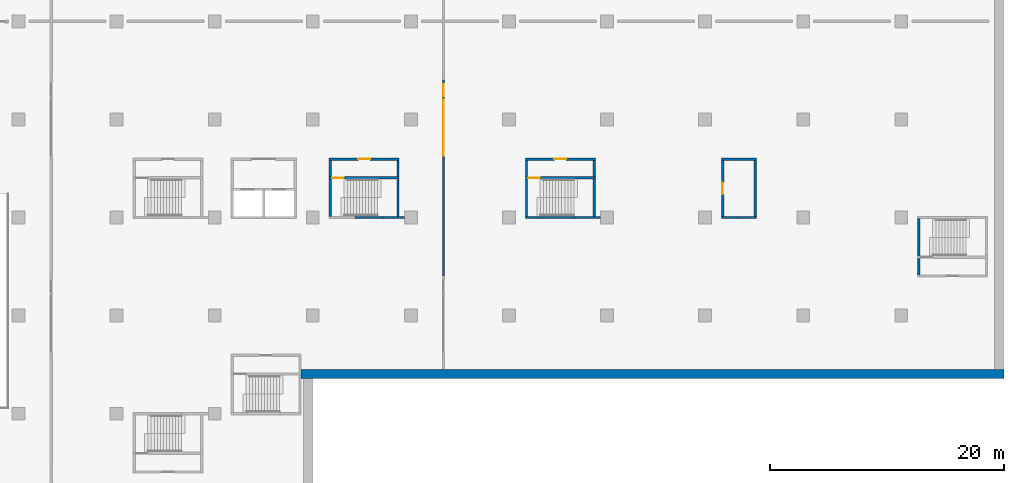
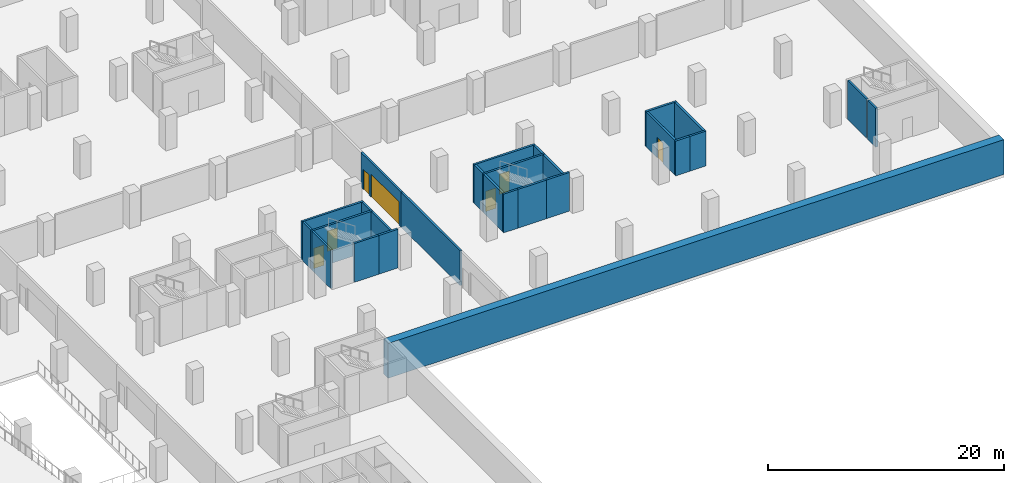
# One storey, part 8 of 18: 27 walls, 7 doors, 7 openings.
"""IFC4 building model written with IfcOpenShell, lengths in metres."""

from ifc_helpers import new_model, si_unit, direction, frame, frame_2d, origin, place, context, subcontext, project, spatial, rectangle, extrude, material, layer, layer_set, type_object, element, fill, save


model = new_model("IFC4")

# Units and contexts
model_context = context("Model", 3, precision=1e-05, world=origin(), true_north=direction((0.0, 1.0)))
body_context = subcontext(model_context, "Body", "Model", "MODEL_VIEW")
ifc_project = project(units=[si_unit("LENGTHUNIT", "METRE"), si_unit("AREAUNIT", "SQUARE_METRE"), si_unit("VOLUMEUNIT", "CUBIC_METRE"), si_unit("PLANEANGLEUNIT", "RADIAN"), si_unit("MASSUNIT", "GRAM", prefix="KILO")], contexts=[model_context])

# Site, building, storey
site_placement = place(None, origin())
site = spatial("IfcSite", under=ifc_project, at=site_placement, CompositionType="ELEMENT")
building_placement = place(site_placement, origin())
building = spatial("IfcBuilding", under=site, at=building_placement, Name="Vermilion Gate Residences", CompositionType="ELEMENT")
storey_placement = place(building_placement, frame((0.0, 0.0, -4.0)))
storey = spatial("IfcBuildingStorey", under=building, at=storey_placement, Name="B1", CompositionType="ELEMENT", Elevation=-4.0)

# Wall, opening, door
ifc_material_1 = material(Name="Concrete blockwork", Category="masonry")
ifc_layer_1 = layer(ifc_material_1, 0.199951171875)
ifc_layer_set_1 = layer_set([ifc_layer_1], Name="FIRE WALL 200 EI 120 (AMENITY)")
wall_type_1 = type_object("IfcWallType", Name="FIRE WALL 200 EI 120 (AMENITY)", PredefinedType="PARTITIONING", material=ifc_layer_set_1)
wall_1_placement = place(storey_placement, frame((102.300048828125, 50.5, 0.0), z_axis=(0.0, 0.0, 1.0), x_axis=(0.0, 1.0, 0.0)))
wall_1 = element("IfcWall", 1, at=wall_1_placement, inside=storey, type_object=wall_type_1, Name="Fire-resisting wall 169", PredefinedType="PARTITIONING", context=body_context, shape_type="SweptSolid", body=[
    extrude(rectangle(XDim=4.800048828125, YDim=0.199951171875, at=frame_2d((2.39990234375, 0.0))), origin(), (0.0, 0.0, 1.0), 3.60009765625),
])
opening_1_placement = place(wall_1_placement, frame((1.89990234375, 0.0, 0.0)))
opening_1 = element("IfcOpeningElement", 2, at=opening_1_placement, cuts=wall_1, Name="Opening DMB1044", PredefinedType="OPENING", context=body_context, shape_type="SweptSolid", body=[
    extrude(rectangle(XDim=1.0, YDim=2.10009765625, at=frame_2d((0.5, 1.050048828125))), frame((0.0, 0.10986328125, 0.0), z_axis=(0.0, -1.0, 0.0), x_axis=(1.0, 0.0, 0.0)), (0.0, 0.0, 1.0), 0.219970703125),
])
ifc_material_2 = material(Name="Steel", Category="steel")
door_type_1 = type_object("IfcDoorType", Name="DOOR 1000 X 2100 FD60 (AMENITY)", OperationType="SINGLE_SWING_LEFT", PredefinedType="DOOR", material=ifc_material_2)
door_1_placement = place(opening_1_placement, origin())
door_1 = element("IfcDoor", 3, at=door_1_placement, inside=storey, type_object=door_type_1, Name="Door B1 44", OperationType="SINGLE_SWING_LEFT", OverallHeight=2.10009765625, OverallWidth=1.0, PredefinedType="DOOR", context=body_context, shape_type="SweptSolid", body=[
    extrude(rectangle(XDim=1.0, YDim=2.10009765625, at=frame_2d((0.5, 1.050048828125))), frame((0.0, 0.02490234375, 0.0), z_axis=(0.0, -1.0, 0.0), x_axis=(1.0, 0.0, 0.0)), (0.0, 0.0, 1.0), 0.050048828125),
])
fill(opening_1, door_1)

# Walls
wall_2_placement = place(storey_placement, frame((102.199951171875, 50.39990234375, 0.0), z_axis=(0.0, 0.0, 1.0), x_axis=(1.0, 0.0, 0.0)))
element("IfcWall", 4, at=wall_2_placement, inside=storey, type_object=wall_type_1, Name="Fire-resisting wall 170", PredefinedType="PARTITIONING", context=body_context, shape_type="SweptSolid", body=[
    extrude(rectangle(XDim=1.400146484375, YDim=0.199951171875, at=frame_2d((0.7001953125, 0.0))), origin(), (0.0, 0.0, 1.0), 3.60009765625),
])
wall_3_placement = place(storey_placement, frame((102.199951171875, 55.39990234375, 0.0), z_axis=(0.0, 0.0, 1.0), x_axis=(1.0, 0.0, 0.0)))
element("IfcWall", 5, at=wall_3_placement, inside=storey, type_object=wall_type_1, Name="Fire-resisting wall 171", PredefinedType="PARTITIONING", context=body_context, shape_type="SweptSolid", body=[
    extrude(rectangle(XDim=3.0, YDim=0.199951171875, at=frame_2d((1.5, 0.0))), origin(), (0.0, 0.0, 1.0), 3.60009765625),
])
wall_4_placement = place(storey_placement, frame((103.60009765625, 50.39990234375, 0.0), z_axis=(0.0, 0.0, 1.0), x_axis=(1.0, 0.0, 0.0)))
element("IfcWall", 6, at=wall_4_placement, inside=storey, type_object=wall_type_1, Name="Fire-resisting wall 175", PredefinedType="PARTITIONING", context=body_context, shape_type="SweptSolid", body=[
    extrude(rectangle(XDim=1.599853515625, YDim=0.199951171875, at=frame_2d((0.7998046875, 0.0))), origin(), (0.0, 0.0, 1.0), 3.60009765625),
])
wall_5_placement = place(storey_placement, frame((105.10009765625, 50.5, 0.0), z_axis=(0.0, 0.0, 1.0), x_axis=(0.0, 1.0, 0.0)))
element("IfcWall", 7, at=wall_5_placement, inside=storey, type_object=wall_type_1, Name="Fire-resisting wall 177", PredefinedType="PARTITIONING", context=body_context, shape_type="SweptSolid", body=[
    extrude(rectangle(XDim=4.800048828125, YDim=0.199951171875, at=frame_2d((2.39990234375, 0.0))), origin(), (0.0, 0.0, 1.0), 3.60009765625),
])
ifc_material_3 = material(Name="Concrete blockwork", Category="masonry")
ifc_layer_2 = layer(ifc_material_3, 0.199951171875)
ifc_layer_set_2 = layer_set([ifc_layer_2], Name="GARAGE FIRE WALL 200 EI 120 (AMENITY)")
wall_type_2 = type_object("IfcWallType", Name="GARAGE FIRE WALL 200 EI 120 (AMENITY)", PredefinedType="PARTITIONING", material=ifc_layer_set_2)
wall_6_placement = place(storey_placement, frame((78.39990234375, 45.39990234375, 0.0), z_axis=(0.0, 0.0, 1.0), x_axis=(0.0, 1.0, 0.0)))
element("IfcWall", 8, at=wall_6_placement, inside=storey, type_object=wall_type_2, Name="Fire compartment wall", PredefinedType="PARTITIONING", context=body_context, shape_type="SweptSolid", body=[
    extrude(rectangle(XDim=10.0, YDim=0.199951171875, at=frame_2d((5.0, 0.0))), origin(), (0.0, 0.0, 1.0), 3.60009765625),
])

# Wall, openings, doors
wall_7_placement = place(storey_placement, frame((78.39990234375, 55.39990234375, 0.0), z_axis=(0.0, 0.0, 1.0), x_axis=(0.0, 1.0, 0.0)))
wall_7 = element("IfcWall", 9, at=wall_7_placement, inside=storey, type_object=wall_type_2, Name="Fire compartment wall", PredefinedType="PARTITIONING", context=body_context, shape_type="SweptSolid", body=[
    extrude(rectangle(XDim=6.800048828125, YDim=0.199951171875, at=frame_2d((3.39990234375, 0.0))), origin(), (0.0, 0.0, 1.0), 3.60009765625),
])
opening_2_placement = place(wall_7_placement, frame((0.300048828125, 0.0, 0.0)))
opening_2 = element("IfcOpeningElement", 10, at=opening_2_placement, cuts=wall_7, Name="Opening DGB1019", PredefinedType="OPENING", context=body_context, shape_type="SweptSolid", body=[
    extrude(rectangle(XDim=4.800048828125, YDim=2.39990234375, at=frame_2d((2.39990234375, 1.199951171875))), frame((0.0, 0.10986328125, 0.0), z_axis=(0.0, -1.0, 0.0), x_axis=(1.0, 0.0, 0.0)), (0.0, 0.0, 1.0), 0.219970703125),
])
opening_3_placement = place(wall_7_placement, frame((5.39990234375, 0.0, 0.0)))
opening_3 = element("IfcOpeningElement", 11, at=opening_3_placement, cuts=wall_7, Name="Opening DGB1020", PredefinedType="OPENING", context=body_context, shape_type="SweptSolid", body=[
    extrude(rectangle(XDim=1.0, YDim=2.10009765625, at=frame_2d((0.5, 1.050048828125))), frame((0.0, 0.10986328125, 0.0), z_axis=(0.0, -1.0, 0.0), x_axis=(1.0, 0.0, 0.0)), (0.0, 0.0, 1.0), 0.219970703125),
])
ifc_material_4 = material(Name="Steel", Category="steel")
door_type_2 = type_object("IfcDoorType", Name="DOOR 1000 X 2100 FD120 (AMENITY)", OperationType="SINGLE_SWING_LEFT", PredefinedType="DOOR", material=ifc_material_4)
door_2_placement = place(opening_3_placement, origin())
door_2 = element("IfcDoor", 12, at=door_2_placement, inside=storey, type_object=door_type_2, Name="Fire door", OperationType="SINGLE_SWING_LEFT", OverallHeight=2.10009765625, OverallWidth=1.0, PredefinedType="DOOR", context=body_context, shape_type="SweptSolid", body=[
    extrude(rectangle(XDim=1.0, YDim=2.10009765625, at=frame_2d((0.5, 1.050048828125))), frame((0.0, 0.02490234375, 0.0), z_axis=(0.0, -1.0, 0.0), x_axis=(1.0, 0.0, 0.0)), (0.0, 0.0, 1.0), 0.050048828125),
])
fill(opening_3, door_2)
ifc_material_5 = material(Name="Steel", Category="steel")
door_type_3 = type_object("IfcDoorType", Name="FIRE SHUTTER 4800 X 2400 (AMENITY)", OperationType="ROLLINGUP", PredefinedType="GATE", material=ifc_material_5)
door_3_placement = place(opening_2_placement, origin())
door_3 = element("IfcDoor", 13, at=door_3_placement, inside=storey, type_object=door_type_3, Name="Fire shutter", OperationType="ROLLINGUP", OverallHeight=2.39990234375, OverallWidth=4.800048828125, PredefinedType="GATE", context=body_context, shape_type="SweptSolid", body=[
    extrude(rectangle(XDim=4.800048828125, YDim=2.39990234375, at=frame_2d((2.39990234375, 1.199951171875))), frame((0.0, 0.02490234375, 0.0), z_axis=(0.0, -1.0, 0.0), x_axis=(1.0, 0.0, 0.0)), (0.0, 0.0, 1.0), 0.050048828125),
])
fill(opening_2, door_3)

# Walls
ifc_material_6 = material(Name="Concrete C40", Category="concrete")
ifc_layer_3 = layer(ifc_material_6, 0.800048828125)
ifc_layer_set_3 = layer_set([ifc_layer_3], Name="RC DIAPHRAGM WALL 800 C40")
wall_type_3 = type_object("IfcWallType", Name="RC DIAPHRAGM WALL 800 C40", PredefinedType="SOLIDWALL", material=ifc_layer_set_3)
wall_8_placement = place(storey_placement, frame((66.199951171875, 37.0, 0.0), z_axis=(0.0, 0.0, 1.0), x_axis=(1.0, 0.0, 0.0)))
element("IfcWall", 14, at=wall_8_placement, inside=storey, type_object=wall_type_3, Name="Diaphragm wall B1 2", PredefinedType="SOLIDWALL", context=body_context, shape_type="SweptSolid", body=[
    extrude(rectangle(XDim=60.199951171875, YDim=0.800048828125, at=frame_2d((30.10009765625, 0.0))), origin(), (0.0, 0.0, 1.0), 3.60009765625),
])
ifc_material_7 = material(Name="Concrete C40", Category="concrete")
ifc_layer_4 = layer(ifc_material_7, 0.199951171875)
ifc_layer_set_4 = layer_set([ifc_layer_4], Name="RC STAIR AND SHAFT WALL 200 EI 180 C40 (AMENITY)")
wall_type_4 = type_object("IfcWallType", Name="RC STAIR AND SHAFT WALL 200 EI 180 C40 (AMENITY)", PredefinedType="SOLIDWALL", material=ifc_layer_set_4)
wall_9_placement = place(storey_placement, frame((68.699951171875, 50.5, 0.0), z_axis=(0.0, 0.0, 1.0), x_axis=(0.0, 1.0, 0.0)))
element("IfcWall", 15, at=wall_9_placement, inside=storey, type_object=wall_type_4, Name="Stair and shaft wall 121", PredefinedType="SOLIDWALL", context=body_context, shape_type="SweptSolid", body=[
    extrude(rectangle(XDim=3.199951171875, YDim=0.199951171875, at=frame_2d((1.60009765625, 0.0))), origin(), (0.0, 0.0, 1.0), 4.0),
])
wall_10_placement = place(storey_placement, frame((68.699951171875, 53.89990234375, 0.0), z_axis=(0.0, 0.0, 1.0), x_axis=(0.0, 1.0, 0.0)))
element("IfcWall", 16, at=wall_10_placement, inside=storey, type_object=wall_type_4, Name="Stair and shaft wall 123", PredefinedType="SOLIDWALL", context=body_context, shape_type="SweptSolid", body=[
    extrude(rectangle(XDim=1.400146484375, YDim=0.199951171875, at=frame_2d((0.7001953125, 0.0))), origin(), (0.0, 0.0, 1.0), 4.0),
])

# Wall, opening, door
wall_11_placement = place(storey_placement, frame((68.60009765625, 53.800048828125, 0.0), z_axis=(0.0, 0.0, 1.0), x_axis=(1.0, 0.0, 0.0)))
wall_11 = element("IfcWall", 17, at=wall_11_placement, inside=storey, type_object=wall_type_4, Name="Stair and shaft wall 124", PredefinedType="SOLIDWALL", context=body_context, shape_type="SweptSolid", body=[
    extrude(rectangle(XDim=6.0, YDim=0.199951171875, at=frame_2d((3.0, 0.0))), origin(), (0.0, 0.0, 1.0), 4.0),
])
opening_4_placement = place(wall_11_placement, frame((0.25, 0.0, 0.0)))
opening_4 = element("IfcOpeningElement", 18, at=opening_4_placement, cuts=wall_11, Name="Opening DMB1010", PredefinedType="OPENING", context=body_context, shape_type="SweptSolid", body=[
    extrude(rectangle(XDim=1.0, YDim=2.10009765625, at=frame_2d((0.5, 1.050048828125))), frame((0.0, 0.10986328125, 0.0), z_axis=(0.0, -1.0, 0.0), x_axis=(1.0, 0.0, 0.0)), (0.0, 0.0, 1.0), 0.219970703125),
])
door_4_placement = place(opening_4_placement, frame((1.0, 0.0, 0.0), z_axis=(0.0, 0.0, 1.0), x_axis=(-1.0, 0.0, 0.0)))
door_4 = element("IfcDoor", 19, at=door_4_placement, inside=storey, type_object=door_type_1, Name="Door B1 10", OperationType="SINGLE_SWING_RIGHT", OverallHeight=2.10009765625, OverallWidth=1.0, PredefinedType="DOOR", context=body_context, shape_type="SweptSolid", body=[
    extrude(rectangle(XDim=1.0, YDim=2.10009765625, at=frame_2d((0.5, 1.050048828125))), frame((0.0, 0.02490234375, 0.0), z_axis=(0.0, -1.0, 0.0), x_axis=(1.0, 0.0, 0.0)), (0.0, 0.0, 1.0), 0.050048828125),
])
fill(opening_4, door_4)

wall_12_placement = place(storey_placement, frame((68.60009765625, 55.39990234375, 0.0), z_axis=(0.0, 0.0, 1.0), x_axis=(1.0, 0.0, 0.0)))
wall_12 = element("IfcWall", 20, at=wall_12_placement, inside=storey, type_object=wall_type_4, Name="Stair and shaft wall 125", PredefinedType="SOLIDWALL", context=body_context, shape_type="SweptSolid", body=[
    extrude(rectangle(XDim=6.0, YDim=0.199951171875, at=frame_2d((3.0, 0.0))), origin(), (0.0, 0.0, 1.0), 4.0),
])
opening_5_placement = place(wall_12_placement, frame((2.5, 0.0, 0.0)))
opening_5 = element("IfcOpeningElement", 21, at=opening_5_placement, cuts=wall_12, Name="Opening DMB1009", PredefinedType="OPENING", context=body_context, shape_type="SweptSolid", body=[
    extrude(rectangle(XDim=1.0, YDim=2.10009765625, at=frame_2d((0.5, 1.050048828125))), frame((0.0, 0.10986328125, 0.0), z_axis=(0.0, -1.0, 0.0), x_axis=(1.0, 0.0, 0.0)), (0.0, 0.0, 1.0), 0.219970703125),
])
door_5_placement = place(opening_5_placement, origin())
door_5 = element("IfcDoor", 22, at=door_5_placement, inside=storey, type_object=door_type_1, Name="Door B1 9", OperationType="SINGLE_SWING_LEFT", OverallHeight=2.10009765625, OverallWidth=1.0, PredefinedType="DOOR", context=body_context, shape_type="SweptSolid", body=[
    extrude(rectangle(XDim=1.0, YDim=2.10009765625, at=frame_2d((0.5, 1.050048828125))), frame((0.0, 0.02490234375, 0.0), z_axis=(0.0, -1.0, 0.0), x_axis=(1.0, 0.0, 0.0)), (0.0, 0.0, 1.0), 0.050048828125),
])
fill(opening_5, door_5)

# Walls
wall_13_placement = place(storey_placement, frame((70.800048828125, 50.39990234375, 0.0), z_axis=(0.0, 0.0, 1.0), x_axis=(1.0, 0.0, 0.0)))
element("IfcWall", 23, at=wall_13_placement, inside=storey, type_object=wall_type_4, Name="Stair and shaft wall 132", PredefinedType="SOLIDWALL", context=body_context, shape_type="SweptSolid", body=[
    extrude(rectangle(XDim=2.39990234375, YDim=0.199951171875, at=frame_2d((1.199951171875, 0.0))), origin(), (0.0, 0.0, 1.0), 4.0),
])
wall_14_placement = place(storey_placement, frame((73.199951171875, 50.39990234375, 0.0), z_axis=(0.0, 0.0, 1.0), x_axis=(1.0, 0.0, 0.0)))
element("IfcWall", 24, at=wall_14_placement, inside=storey, type_object=wall_type_4, Name="Stair and shaft wall 134", PredefinedType="SOLIDWALL", context=body_context, shape_type="SweptSolid", body=[
    extrude(rectangle(XDim=1.85009765625, YDim=0.199951171875, at=frame_2d((0.925048828125, 0.0))), origin(), (0.0, 0.0, 1.0), 4.0),
])
wall_15_placement = place(storey_placement, frame((74.5, 50.5, 0.0), z_axis=(0.0, 0.0, 1.0), x_axis=(0.0, 1.0, 0.0)))
element("IfcWall", 25, at=wall_15_placement, inside=storey, type_object=wall_type_4, Name="Stair and shaft wall 135", PredefinedType="SOLIDWALL", context=body_context, shape_type="SweptSolid", body=[
    extrude(rectangle(XDim=3.199951171875, YDim=0.199951171875, at=frame_2d((1.60009765625, 0.0))), origin(), (0.0, 0.0, 1.0), 4.0),
])
wall_16_placement = place(storey_placement, frame((74.5, 53.89990234375, 0.0), z_axis=(0.0, 0.0, 1.0), x_axis=(0.0, 1.0, 0.0)))
element("IfcWall", 26, at=wall_16_placement, inside=storey, type_object=wall_type_4, Name="Stair and shaft wall 136", PredefinedType="SOLIDWALL", context=body_context, shape_type="SweptSolid", body=[
    extrude(rectangle(XDim=1.400146484375, YDim=0.199951171875, at=frame_2d((0.7001953125, 0.0))), origin(), (0.0, 0.0, 1.0), 4.0),
])
wall_17_placement = place(storey_placement, frame((85.5, 50.5, 0.0), z_axis=(0.0, 0.0, 1.0), x_axis=(0.0, 1.0, 0.0)))
element("IfcWall", 27, at=wall_17_placement, inside=storey, type_object=wall_type_4, Name="Stair and shaft wall 139", PredefinedType="SOLIDWALL", context=body_context, shape_type="SweptSolid", body=[
    extrude(rectangle(XDim=3.199951171875, YDim=0.199951171875, at=frame_2d((1.60009765625, 0.0))), origin(), (0.0, 0.0, 1.0), 4.0),
])
for number, where, z_axis, x_axis, name in (
    (28, (85.39990234375, 50.39990234375, 0.0), (0.0, 0.0, 1.0), (1.0, 0.0, 0.0), "Stair and shaft wall 140"),
    (29, (85.5, 53.89990234375, 0.0), (0.0, 0.0, 1.0), (0.0, 1.0, 0.0), "Stair and shaft wall 141"),
):
    element("IfcWall", number, at=place(storey_placement, frame(where, z_axis=z_axis, x_axis=x_axis)), inside=storey, type_object=wall_type_4, Name=name, PredefinedType="SOLIDWALL", context=body_context, shape_type="SweptSolid", body=[
        extrude(rectangle(XDim=1.400146484375, YDim=0.199951171875, at=frame_2d((0.7001953125, 0.0))), origin(), (0.0, 0.0, 1.0), 4.0),
    ])

# Wall, opening, door
wall_18_placement = place(storey_placement, frame((85.39990234375, 53.800048828125, 0.0), z_axis=(0.0, 0.0, 1.0), x_axis=(1.0, 0.0, 0.0)))
wall_18 = element("IfcWall", 30, at=wall_18_placement, inside=storey, type_object=wall_type_4, Name="Stair and shaft wall 142", PredefinedType="SOLIDWALL", context=body_context, shape_type="SweptSolid", body=[
    extrude(rectangle(XDim=6.0, YDim=0.199951171875, at=frame_2d((3.0, 0.0))), origin(), (0.0, 0.0, 1.0), 4.0),
])
opening_6_placement = place(wall_18_placement, frame((0.25, 0.0, 0.0)))
opening_6 = element("IfcOpeningElement", 31, at=opening_6_placement, cuts=wall_18, Name="Opening DMB1016", PredefinedType="OPENING", context=body_context, shape_type="SweptSolid", body=[
    extrude(rectangle(XDim=1.0, YDim=2.10009765625, at=frame_2d((0.5, 1.050048828125))), frame((0.0, 0.10986328125, 0.0), z_axis=(0.0, -1.0, 0.0), x_axis=(1.0, 0.0, 0.0)), (0.0, 0.0, 1.0), 0.219970703125),
])
door_6_placement = place(opening_6_placement, frame((1.0, 0.0, 0.0), z_axis=(0.0, 0.0, 1.0), x_axis=(-1.0, 0.0, 0.0)))
door_6 = element("IfcDoor", 32, at=door_6_placement, inside=storey, type_object=door_type_1, Name="Door B1 16", OperationType="SINGLE_SWING_LEFT", OverallHeight=2.10009765625, OverallWidth=1.0, PredefinedType="DOOR", context=body_context, shape_type="SweptSolid", body=[
    extrude(rectangle(XDim=1.0, YDim=2.10009765625, at=frame_2d((0.5, 1.050048828125))), frame((0.0, 0.02490234375, 0.0), z_axis=(0.0, -1.0, 0.0), x_axis=(1.0, 0.0, 0.0)), (0.0, 0.0, 1.0), 0.050048828125),
])
fill(opening_6, door_6)

wall_19_placement = place(storey_placement, frame((85.39990234375, 55.39990234375, 0.0), z_axis=(0.0, 0.0, 1.0), x_axis=(1.0, 0.0, 0.0)))
wall_19 = element("IfcWall", 33, at=wall_19_placement, inside=storey, type_object=wall_type_4, Name="Stair and shaft wall 143", PredefinedType="SOLIDWALL", context=body_context, shape_type="SweptSolid", body=[
    extrude(rectangle(XDim=6.0, YDim=0.199951171875, at=frame_2d((3.0, 0.0))), origin(), (0.0, 0.0, 1.0), 4.0),
])
opening_7_placement = place(wall_19_placement, frame((2.5, 0.0, 0.0)))
opening_7 = element("IfcOpeningElement", 34, at=opening_7_placement, cuts=wall_19, Name="Opening DMB1015", PredefinedType="OPENING", context=body_context, shape_type="SweptSolid", body=[
    extrude(rectangle(XDim=1.0, YDim=2.10009765625, at=frame_2d((0.5, 1.050048828125))), frame((0.0, 0.10986328125, 0.0), z_axis=(0.0, -1.0, 0.0), x_axis=(1.0, 0.0, 0.0)), (0.0, 0.0, 1.0), 0.219970703125),
])
door_7_placement = place(opening_7_placement, origin())
door_7 = element("IfcDoor", 35, at=door_7_placement, inside=storey, type_object=door_type_1, Name="Door B1 15", OperationType="SINGLE_SWING_LEFT", OverallHeight=2.10009765625, OverallWidth=1.0, PredefinedType="DOOR", context=body_context, shape_type="SweptSolid", body=[
    extrude(rectangle(XDim=1.0, YDim=2.10009765625, at=frame_2d((0.5, 1.050048828125))), frame((0.0, 0.02490234375, 0.0), z_axis=(0.0, -1.0, 0.0), x_axis=(1.0, 0.0, 0.0)), (0.0, 0.0, 1.0), 0.050048828125),
])
fill(opening_7, door_7)

# Walls
wall_20_placement = place(storey_placement, frame((86.800048828125, 50.39990234375, 0.0), z_axis=(0.0, 0.0, 1.0), x_axis=(1.0, 0.0, 0.0)))
element("IfcWall", 36, at=wall_20_placement, inside=storey, type_object=wall_type_4, Name="Stair and shaft wall 149", PredefinedType="SOLIDWALL", context=body_context, shape_type="SweptSolid", body=[
    extrude(rectangle(XDim=2.800048828125, YDim=0.199951171875, at=frame_2d((1.39990234375, 0.0))), origin(), (0.0, 0.0, 1.0), 4.0),
])
wall_21_placement = place(storey_placement, frame((89.60009765625, 50.39990234375, 0.0), z_axis=(0.0, 0.0, 1.0), x_axis=(1.0, 0.0, 0.0)))
element("IfcWall", 37, at=wall_21_placement, inside=storey, type_object=wall_type_4, Name="Stair and shaft wall 151", PredefinedType="SOLIDWALL", context=body_context, shape_type="SweptSolid", body=[
    extrude(rectangle(XDim=2.25, YDim=0.199951171875, at=frame_2d((1.125, 0.0))), origin(), (0.0, 0.0, 1.0), 4.0),
])
wall_22_placement = place(storey_placement, frame((91.300048828125, 50.5, 0.0), z_axis=(0.0, 0.0, 1.0), x_axis=(0.0, 1.0, 0.0)))
element("IfcWall", 38, at=wall_22_placement, inside=storey, type_object=wall_type_4, Name="Stair and shaft wall 153", PredefinedType="SOLIDWALL", context=body_context, shape_type="SweptSolid", body=[
    extrude(rectangle(XDim=3.199951171875, YDim=0.199951171875, at=frame_2d((1.60009765625, 0.0))), origin(), (0.0, 0.0, 1.0), 4.0),
])
wall_23_placement = place(storey_placement, frame((91.300048828125, 53.89990234375, 0.0), z_axis=(0.0, 0.0, 1.0), x_axis=(0.0, 1.0, 0.0)))
element("IfcWall", 39, at=wall_23_placement, inside=storey, type_object=wall_type_4, Name="Stair and shaft wall 154", PredefinedType="SOLIDWALL", context=body_context, shape_type="SweptSolid", body=[
    extrude(rectangle(XDim=1.400146484375, YDim=0.199951171875, at=frame_2d((0.7001953125, 0.0))), origin(), (0.0, 0.0, 1.0), 4.0),
])
wall_24_placement = place(storey_placement, frame((119.10009765625, 45.5, 0.0), z_axis=(0.0, 0.0, 1.0), x_axis=(0.0, 1.0, 0.0)))
element("IfcWall", 40, at=wall_24_placement, inside=storey, type_object=wall_type_4, Name="Stair and shaft wall 179", PredefinedType="SOLIDWALL", context=body_context, shape_type="SweptSolid", body=[
    extrude(rectangle(XDim=1.39990234375, YDim=0.199951171875, at=frame_2d((0.699951171875, 0.0))), origin(), (0.0, 0.0, 1.0), 4.0),
])
wall_25_placement = place(storey_placement, frame((119.10009765625, 47.10009765625, 0.0), z_axis=(0.0, 0.0, 1.0), x_axis=(0.0, 1.0, 0.0)))
element("IfcWall", 41, at=wall_25_placement, inside=storey, type_object=wall_type_4, Name="Stair and shaft wall 181", PredefinedType="SOLIDWALL", context=body_context, shape_type="SweptSolid", body=[
    extrude(rectangle(XDim=3.199951171875, YDim=0.199951171875, at=frame_2d((1.60009765625, 0.0))), origin(), (0.0, 0.0, 1.0), 4.0),
])

save(model, "model.ifc")
